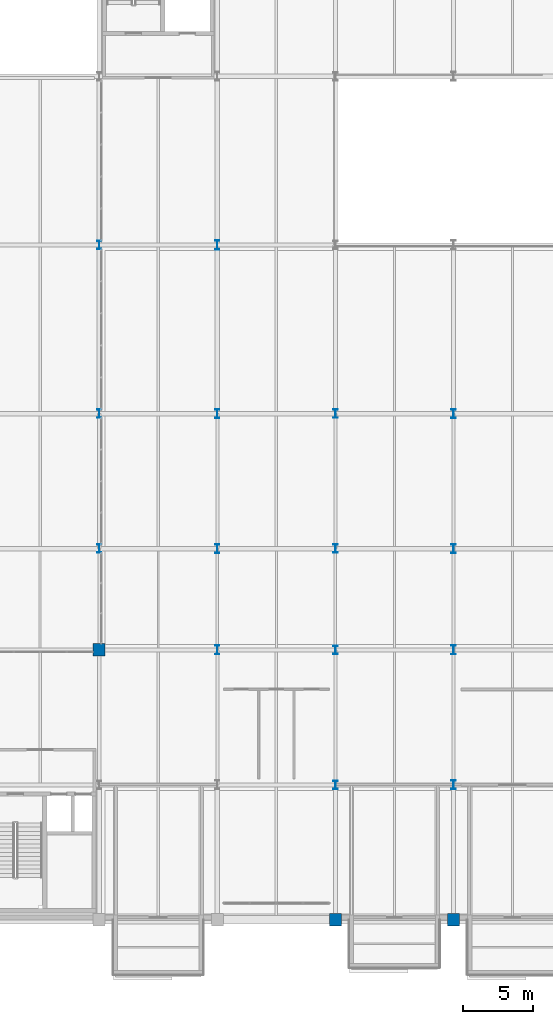
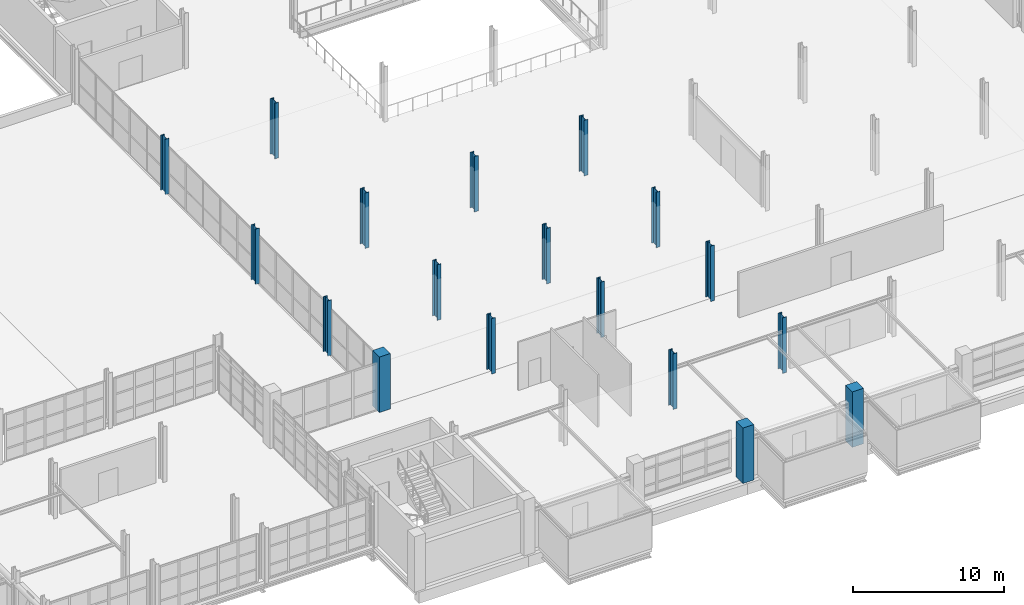
# One storey, part 2 of 130: 18 columns.
"""IFC4 building model written with IfcOpenShell, lengths in metres."""

from ifc_helpers import new_model, si_unit, direction, frame, origin, origin_2d, place, context, subcontext, project, spatial, rectangle, i_section, extrude, material, material_profile, profile_set, type_object, element, save


model = new_model("IFC4")

# Units and contexts
model_context = context("Model", 3, precision=1e-05, world=origin(), true_north=direction((0.0, 1.0)))
body_context = subcontext(model_context, "Body", "Model", "MODEL_VIEW")
ifc_project = project(units=[si_unit("LENGTHUNIT", "METRE"), si_unit("AREAUNIT", "SQUARE_METRE"), si_unit("VOLUMEUNIT", "CUBIC_METRE"), si_unit("PLANEANGLEUNIT", "RADIAN"), si_unit("MASSUNIT", "GRAM", prefix="KILO")], contexts=[model_context])

# Site, building, storey
site_placement = place(None, origin())
site = spatial("IfcSite", under=ifc_project, at=site_placement, CompositionType="ELEMENT")
building_placement = place(site_placement, origin())
building = spatial("IfcBuilding", under=site, at=building_placement, Name="Veltarok Museum of Natural Sciences", CompositionType="ELEMENT")
storey_placement = place(building_placement, frame((0.0, 0.0, 12.89990234375)))
storey = spatial("IfcBuildingStorey", under=building, at=storey_placement, Name="L02", CompositionType="ELEMENT", Elevation=12.89990234375)

# Columns
ifc_material_1 = material(Name="Concrete C40/50", Category="concrete")
ifc_material_profile_1 = material_profile(ifc_material_1, rectangle(XDim=0.85009765625, YDim=0.89990234375, at=origin_2d()), Name="RC 850x900")
ifc_profile_set_1 = profile_set([ifc_material_profile_1], Name="Concrete C40/50")
column_type_1 = type_object("IfcColumnType", Name="Exposed Cabinet Grid Column RC 850x900", PredefinedType="COLUMN", material=ifc_profile_set_1)
for number, where, z_axis, x_axis, name in (
    (1, (40.0, 19.199951171875, 0.0), (0.0, 0.0, 1.0), (1.0, 0.0, 0.0), "Column COL-CAB01 L02 5/C"),
    (2, (56.800048828125, 0.0, 0.0), (0.0, 0.0, 1.0), (1.0, 0.0, 0.0), "Column COL-CAB01 L02 7/A"),
    (3, (65.199951171875, 0.0, 0.0), (0.0, 0.0, 1.0), (1.0, 0.0, 0.0), "Column COL-CAB01 L02 8/A"),
):
    element("IfcColumn", number, at=place(storey_placement, frame(where, z_axis=z_axis, x_axis=x_axis)), inside=storey, type_object=column_type_1, Name=name, PredefinedType="COLUMN", context=body_context, shape_type="SweptSolid", body=[
        extrude(rectangle(XDim=0.85009765625, YDim=0.89990234375, at=origin_2d()), origin(), (0.0, 0.0, 1.0), 4.5),
    ])
ifc_material_2 = material(Name="Steel S355J2", Category="steel")
ifc_material_profile_2 = material_profile(ifc_material_2, i_section(OverallWidth=0.300048828125, OverallDepth=0.60009765625, WebThickness=0.015380859375, FlangeThickness=0.030029296875, FilletRadius=0.027099609375, at=origin_2d()), Name="HEB 600")
ifc_profile_set_2 = profile_set([ifc_material_profile_2], Name="Steel S355J2")
column_type_2 = type_object("IfcColumnType", Name="Gallery Frame Column HEB 600", PredefinedType="COLUMN", material=ifc_profile_set_2)
for number, where, z_axis, x_axis, name in (
    (4, (56.800048828125, 9.60009765625, 0.0), (0.0, 0.0, 1.0), (1.0, 0.0, 0.0), "Column COL-S04 L02 7/B"),
    (5, (56.800048828125, 19.199951171875, 0.0), (0.0, 0.0, 1.0), (1.0, 0.0, 0.0), "Column COL-S04 L02 7/C"),
    (6, (56.800048828125, 26.39990234375, 0.0), (0.0, 0.0, 1.0), (1.0, 0.0, 0.0), "Column COL-S04 L02 7/D"),
    (7, (56.800048828125, 36.0, 0.0), (0.0, 0.0, 1.0), (1.0, 0.0, 0.0), "Column COL-S04 L02 7/E"),
):
    element("IfcColumn", number, at=place(storey_placement, frame(where, z_axis=z_axis, x_axis=x_axis)), inside=storey, type_object=column_type_2, Name=name, PredefinedType="COLUMN", context=body_context, shape_type="SweptSolid", body=[
        extrude(i_section(OverallWidth=0.300048828125, OverallDepth=0.60009765625, WebThickness=0.015380859375, FlangeThickness=0.030029296875, FilletRadius=0.027099609375, at=origin_2d()), origin(), (0.0, 0.0, 1.0), 4.5),
    ])
ifc_material_profile_3 = material_profile(ifc_material_2, i_section(OverallWidth=0.300048828125, OverallDepth=0.64990234375, WebThickness=0.01611328125, FlangeThickness=0.031005859375, FilletRadius=0.027099609375, at=origin_2d()), Name="HEB 650")
ifc_profile_set_3 = profile_set([ifc_material_profile_3], Name="Steel S355J2")
column_type_3 = type_object("IfcColumnType", Name="Heavy Spine Column HEB 650", PredefinedType="COLUMN", material=ifc_profile_set_3)
for number, where, z_axis, x_axis, name in (
    (8, (48.39990234375, 19.199951171875, 0.0), (0.0, 0.0, 1.0), (1.0, 0.0, 0.0), "Column COL-S09 L02 6/C"),
    (9, (48.39990234375, 26.39990234375, 0.0), (0.0, 0.0, 1.0), (1.0, 0.0, 0.0), "Column COL-S09 L02 6/D"),
    (10, (48.39990234375, 36.0, 0.0), (0.0, 0.0, 1.0), (1.0, 0.0, 0.0), "Column COL-S09 L02 6/E"),
    (11, (48.39990234375, 48.0, 0.0), (0.0, 0.0, 1.0), (1.0, 0.0, 0.0), "Column COL-S09 L02 6/F"),
    (12, (65.199951171875, 9.60009765625, 0.0), (0.0, 0.0, 1.0), (1.0, 0.0, 0.0), "Column COL-S09 L02 8/B"),
    (13, (65.199951171875, 19.199951171875, 0.0), (0.0, 0.0, 1.0), (1.0, 0.0, 0.0), "Column COL-S09 L02 8/C"),
    (14, (65.199951171875, 26.39990234375, 0.0), (0.0, 0.0, 1.0), (1.0, 0.0, 0.0), "Column COL-S09 L02 8/D"),
    (15, (65.199951171875, 36.0, 0.0), (0.0, 0.0, 1.0), (1.0, 0.0, 0.0), "Column COL-S09 L02 8/E"),
):
    element("IfcColumn", number, at=place(storey_placement, frame(where, z_axis=z_axis, x_axis=x_axis)), inside=storey, type_object=column_type_3, Name=name, PredefinedType="COLUMN", context=body_context, shape_type="SweptSolid", body=[
        extrude(i_section(OverallWidth=0.300048828125, OverallDepth=0.64990234375, WebThickness=0.01611328125, FlangeThickness=0.031005859375, FilletRadius=0.027099609375, at=origin_2d()), origin(), (0.0, 0.0, 1.0), 4.5),
    ])
ifc_material_profile_4 = material_profile(ifc_material_2, i_section(OverallWidth=0.300048828125, OverallDepth=0.60009765625, WebThickness=0.015380859375, FlangeThickness=0.030029296875, FilletRadius=0.027099609375, at=origin_2d()), Name="HEB 600")
ifc_profile_set_4 = profile_set([ifc_material_profile_4], Name="Steel S355J2")
column_type_4 = type_object("IfcColumnType", Name="Perimeter Passage Column HEB 600", PredefinedType="COLUMN", material=ifc_profile_set_4)
for number, where, z_axis, x_axis, name in (
    (16, (40.0, 26.39990234375, 0.0), (0.0, 0.0, 1.0), (1.0, 0.0, 0.0), "Column COL-EXT02 L02 5/D"),
    (17, (40.0, 36.0, 0.0), (0.0, 0.0, 1.0), (1.0, 0.0, 0.0), "Column COL-EXT02 L02 5/E"),
    (18, (40.0, 48.0, 0.0), (0.0, 0.0, 1.0), (1.0, 0.0, 0.0), "Column COL-EXT02 L02 5/F"),
):
    element("IfcColumn", number, at=place(storey_placement, frame(where, z_axis=z_axis, x_axis=x_axis)), inside=storey, type_object=column_type_4, Name=name, PredefinedType="COLUMN", context=body_context, shape_type="SweptSolid", body=[
        extrude(i_section(OverallWidth=0.300048828125, OverallDepth=0.60009765625, WebThickness=0.015380859375, FlangeThickness=0.030029296875, FilletRadius=0.027099609375, at=origin_2d()), origin(), (0.0, 0.0, 1.0), 4.5),
    ])

save(model, "model.ifc")
